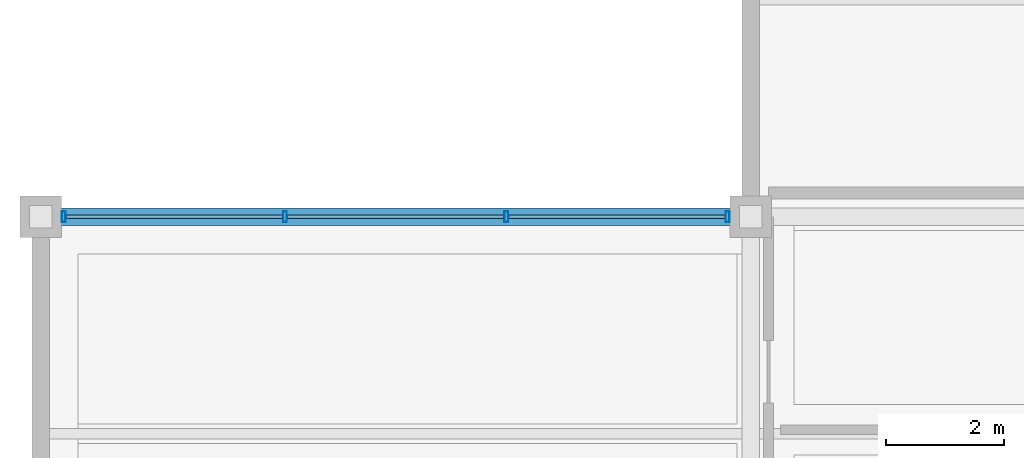
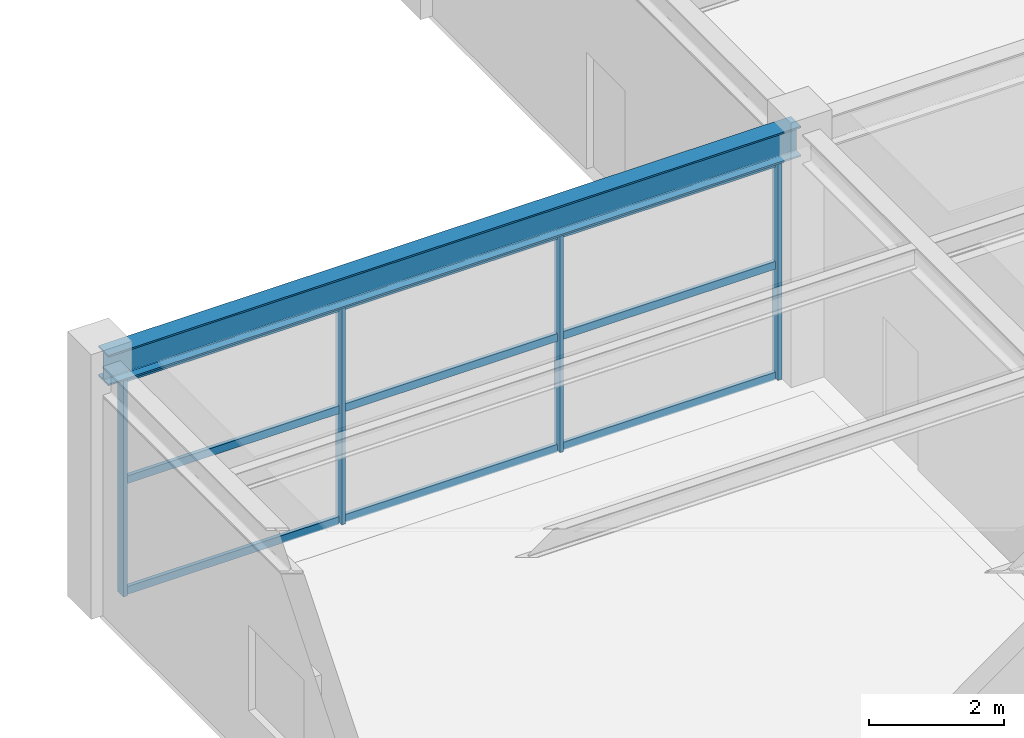
# One storey, part 49 of 108: 13 members, 1 beam, 1 element without a shape of its own.
"""IFC4 building model written with IfcOpenShell, lengths in metres."""

from ifc_helpers import new_model, si_unit, direction, frame, origin, origin_2d, place, context, subcontext, project, spatial, hollow_rectangle, i_section, extrude, material, material_profile, profile_set, type_object, element, aggregate, save


model = new_model("IFC4")

# Units and contexts
model_context = context("Model", 3, precision=1e-05, world=origin(), true_north=direction((0.0, 1.0)))
body_context = subcontext(model_context, "Body", "Model", "MODEL_VIEW")
ifc_project = project(units=[si_unit("LENGTHUNIT", "METRE"), si_unit("AREAUNIT", "SQUARE_METRE"), si_unit("VOLUMEUNIT", "CUBIC_METRE"), si_unit("PLANEANGLEUNIT", "RADIAN"), si_unit("MASSUNIT", "GRAM", prefix="KILO")], contexts=[model_context])

# Site, building, storey
site_placement = place(None, origin())
site = spatial("IfcSite", under=ifc_project, at=site_placement, CompositionType="ELEMENT")
building_placement = place(site_placement, origin())
building = spatial("IfcBuilding", under=site, at=building_placement, Name="Tarnveldt Headland Concert Hall", CompositionType="ELEMENT")
storey_placement = place(building_placement, origin())
storey = spatial("IfcBuildingStorey", under=building, at=storey_placement, Name="L00", CompositionType="ELEMENT", Elevation=0.0)

# Curtain wall, members
ifc_material_1 = material(Name="Marine-anodised aluminium EN AW-6063-T6", Category="aluminium")
curtain_wall_type = type_object("IfcCurtainWallType", Name="CW-R1", PredefinedType="NOTDEFINED", material=ifc_material_1)
curtain_wall_placement = place(storey_placement, origin())
curtain_wall = element("IfcCurtainWall", 1, at=curtain_wall_placement, inside=storey, type_object=curtain_wall_type, Name="Curtain wall CW-L00-178", PredefinedType="NOTDEFINED")
ifc_material_profile_1 = material_profile(ifc_material_1, hollow_rectangle(XDim=0.06494140625, YDim=0.179931640625, WallThickness=0.00390625, at=origin_2d()), Name="ALU MULLION 65x180x4", Category="aluminium")
ifc_profile_set_1 = profile_set([ifc_material_profile_1], Name="Marine-anodised aluminium EN AW-6063-T6")
member_type_1 = type_object("IfcMemberType", Name="ML-180", PredefinedType="MULLION", material=ifc_profile_set_1)
member_1_placement = place(storey_placement, frame((19.110107421875, 93.0, 0.0), z_axis=(0.0, 0.0, 1.0), x_axis=(1.0, 0.0, 0.0)))
member_1 = element("IfcMember", 2, at=member_1_placement, type_object=member_type_1, Name="Mullion CW-L00-178-1", PredefinedType="MULLION", context=body_context, shape_type="SweptSolid", body=[
    extrude(hollow_rectangle(XDim=0.06494140625, YDim=0.179931640625, WallThickness=0.00390625, at=origin_2d()), origin(), (0.0, 0.0, 1.0), 3.9580078125),
])
member_2_placement = place(storey_placement, frame((15.3701171875, 93.0, 0.0), z_axis=(0.0, 0.0, 1.0), x_axis=(1.0, 0.0, 0.0)))
member_2 = element("IfcMember", 3, at=member_2_placement, type_object=member_type_1, Name="Mullion CW-L00-178-2", PredefinedType="MULLION", context=body_context, shape_type="SweptSolid", body=[
    extrude(hollow_rectangle(XDim=0.06494140625, YDim=0.179931640625, WallThickness=0.00390625, at=origin_2d()), origin(), (0.0, 0.0, 1.0), 3.9580078125),
])
member_3_placement = place(storey_placement, frame((11.6298828125, 93.0, 0.0), z_axis=(0.0, 0.0, 1.0), x_axis=(1.0, 0.0, 0.0)))
member_3 = element("IfcMember", 4, at=member_3_placement, type_object=member_type_1, Name="Mullion CW-L00-178-3", PredefinedType="MULLION", context=body_context, shape_type="SweptSolid", body=[
    extrude(hollow_rectangle(XDim=0.06494140625, YDim=0.179931640625, WallThickness=0.00390625, at=origin_2d()), origin(), (0.0, 0.0, 1.0), 3.9580078125),
])
member_4_placement = place(storey_placement, frame((7.889892578125, 93.0, 0.0), z_axis=(0.0, 0.0, 1.0), x_axis=(1.0, 0.0, 0.0)))
member_4 = element("IfcMember", 5, at=member_4_placement, type_object=member_type_1, Name="Mullion CW-L00-178-4", PredefinedType="MULLION", context=body_context, shape_type="SweptSolid", body=[
    extrude(hollow_rectangle(XDim=0.06494140625, YDim=0.179931640625, WallThickness=0.00390625, at=origin_2d()), origin(), (0.0, 0.0, 1.0), 3.9580078125),
])

# Beam
ifc_material_2 = material(Name="Steel S355", Category="steel")
ifc_material_profile_2 = material_profile(ifc_material_2, i_section(OverallWidth=0.300048828125, OverallDepth=0.550048828125, WebThickness=0.014892578125, FlangeThickness=0.029052734375, FilletRadius=0.027099609375, at=origin_2d()), Name="HEB550", Category="steel")
ifc_profile_set_2 = profile_set([ifc_material_profile_2], Name="Steel S355")
beam_type = type_object("IfcBeamType", Name="SB-HEB550", PredefinedType="BEAM", material=ifc_profile_set_2)
beam_placement = place(storey_placement, frame((7.56005859375, 93.0, 4.2451171875), z_axis=(1.0, 0.0, 0.0), x_axis=(0.0, 1.0, 0.0)))
element("IfcBeam", 6, at=beam_placement, inside=storey, type_object=beam_type, Name="Framing beam L00-617", PredefinedType="BEAM", context=body_context, shape_type="SweptSolid", body=[
    extrude(i_section(OverallWidth=0.300048828125, OverallDepth=0.550048828125, WebThickness=0.014892578125, FlangeThickness=0.029052734375, FilletRadius=0.027099609375, at=origin_2d()), origin(), (0.0, 0.0, 1.0), 11.8798828125),
])

# Member
ifc_material_profile_3 = material_profile(ifc_material_1, hollow_rectangle(XDim=0.06494140625, YDim=0.139892578125, WallThickness=0.00390625, at=origin_2d()), Name="ALU TRANSOM 65x140x4", Category="aluminium")
ifc_profile_set_3 = profile_set([ifc_material_profile_3], Name="Marine-anodised aluminium EN AW-6063-T6")
member_type_2 = type_object("IfcMemberType", Name="TR-140", PredefinedType="MEMBER", material=ifc_profile_set_3)
member_5_placement = place(storey_placement, frame((19.0654296875, 93.0, 0.050048828125), z_axis=(-1.0, 0.0, 0.0), x_axis=(0.0, -1.0, 0.0)))
member_5 = element("IfcMember", 7, at=member_5_placement, type_object=member_type_2, Name="Transom CW-L00-178-1-1", PredefinedType="MEMBER", context=body_context, shape_type="SweptSolid", body=[
    extrude(hollow_rectangle(XDim=0.06494140625, YDim=0.139892578125, WallThickness=0.00390625, at=origin_2d()), origin(), (0.0, 0.0, 1.0), 3.65087890625),
])

member_6_placement = place(storey_placement, frame((19.0654296875, 93.0, 2.05810546875), z_axis=(-1.0, 0.0, 0.0), x_axis=(0.0, -1.0, 0.0)))
member_6 = element("IfcMember", 8, at=member_6_placement, type_object=member_type_2, Name="Transom CW-L00-178-1-2", PredefinedType="MEMBER", context=body_context, shape_type="SweptSolid", body=[
    extrude(hollow_rectangle(XDim=0.06494140625, YDim=0.139892578125, WallThickness=0.00390625, at=origin_2d()), origin(), (0.0, 0.0, 1.0), 3.65087890625),
])

member_7_placement = place(storey_placement, frame((19.0654296875, 93.0, 3.907958984375), z_axis=(-1.0, 0.0, 0.0), x_axis=(0.0, -1.0, 0.0)))
member_7 = element("IfcMember", 9, at=member_7_placement, type_object=member_type_2, Name="Transom CW-L00-178-1-3", PredefinedType="MEMBER", context=body_context, shape_type="SweptSolid", body=[
    extrude(hollow_rectangle(XDim=0.06494140625, YDim=0.139892578125, WallThickness=0.00390625, at=origin_2d()), origin(), (0.0, 0.0, 1.0), 3.65087890625),
])

member_8_placement = place(storey_placement, frame((15.325439453125, 93.0, 0.050048828125), z_axis=(-1.0, 0.0, 0.0), x_axis=(0.0, -1.0, 0.0)))
member_8 = element("IfcMember", 10, at=member_8_placement, type_object=member_type_2, Name="Transom CW-L00-178-2-1", PredefinedType="MEMBER", context=body_context, shape_type="SweptSolid", body=[
    extrude(hollow_rectangle(XDim=0.06494140625, YDim=0.139892578125, WallThickness=0.00390625, at=origin_2d()), origin(), (0.0, 0.0, 1.0), 3.65087890625),
])

member_9_placement = place(storey_placement, frame((15.325439453125, 93.0, 2.05810546875), z_axis=(-1.0, 0.0, 0.0), x_axis=(0.0, -1.0, 0.0)))
member_9 = element("IfcMember", 11, at=member_9_placement, type_object=member_type_2, Name="Transom CW-L00-178-2-2", PredefinedType="MEMBER", context=body_context, shape_type="SweptSolid", body=[
    extrude(hollow_rectangle(XDim=0.06494140625, YDim=0.139892578125, WallThickness=0.00390625, at=origin_2d()), origin(), (0.0, 0.0, 1.0), 3.65087890625),
])

member_10_placement = place(storey_placement, frame((15.325439453125, 93.0, 3.907958984375), z_axis=(-1.0, 0.0, 0.0), x_axis=(0.0, -1.0, 0.0)))
member_10 = element("IfcMember", 12, at=member_10_placement, type_object=member_type_2, Name="Transom CW-L00-178-2-3", PredefinedType="MEMBER", context=body_context, shape_type="SweptSolid", body=[
    extrude(hollow_rectangle(XDim=0.06494140625, YDim=0.139892578125, WallThickness=0.00390625, at=origin_2d()), origin(), (0.0, 0.0, 1.0), 3.65087890625),
])

member_11_placement = place(storey_placement, frame((11.58544921875, 93.0, 0.050048828125), z_axis=(-1.0, 0.0, 0.0), x_axis=(0.0, -1.0, 0.0)))
member_11 = element("IfcMember", 13, at=member_11_placement, type_object=member_type_2, Name="Transom CW-L00-178-3-1", PredefinedType="MEMBER", context=body_context, shape_type="SweptSolid", body=[
    extrude(hollow_rectangle(XDim=0.06494140625, YDim=0.139892578125, WallThickness=0.00390625, at=origin_2d()), origin(), (0.0, 0.0, 1.0), 3.65087890625),
])

member_12_placement = place(storey_placement, frame((11.58544921875, 93.0, 2.05810546875), z_axis=(-1.0, 0.0, 0.0), x_axis=(0.0, -1.0, 0.0)))
member_12 = element("IfcMember", 14, at=member_12_placement, type_object=member_type_2, Name="Transom CW-L00-178-3-2", PredefinedType="MEMBER", context=body_context, shape_type="SweptSolid", body=[
    extrude(hollow_rectangle(XDim=0.06494140625, YDim=0.139892578125, WallThickness=0.00390625, at=origin_2d()), origin(), (0.0, 0.0, 1.0), 3.65087890625),
])

member_13_placement = place(storey_placement, frame((11.58544921875, 93.0, 3.907958984375), z_axis=(-1.0, 0.0, 0.0), x_axis=(0.0, -1.0, 0.0)))
member_13 = element("IfcMember", 15, at=member_13_placement, type_object=member_type_2, Name="Transom CW-L00-178-3-3", PredefinedType="MEMBER", context=body_context, shape_type="SweptSolid", body=[
    extrude(hollow_rectangle(XDim=0.06494140625, YDim=0.139892578125, WallThickness=0.00390625, at=origin_2d()), origin(), (0.0, 0.0, 1.0), 3.65087890625),
])

aggregate(curtain_wall, [member_1, member_2, member_3, member_4, member_5, member_6, member_7, member_8, member_9, member_10, member_11, member_12, member_13])

save(model, "model.ifc")
